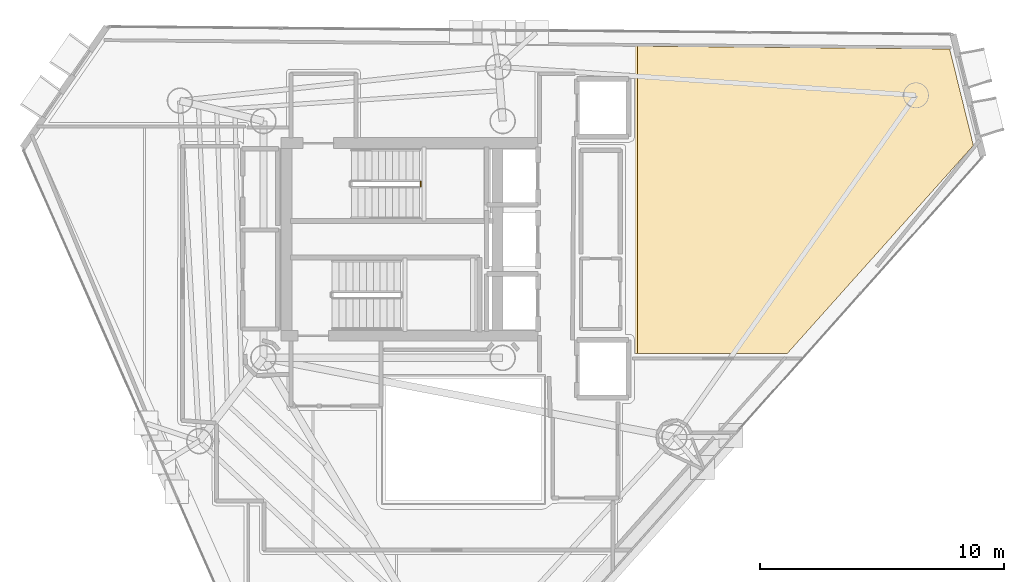
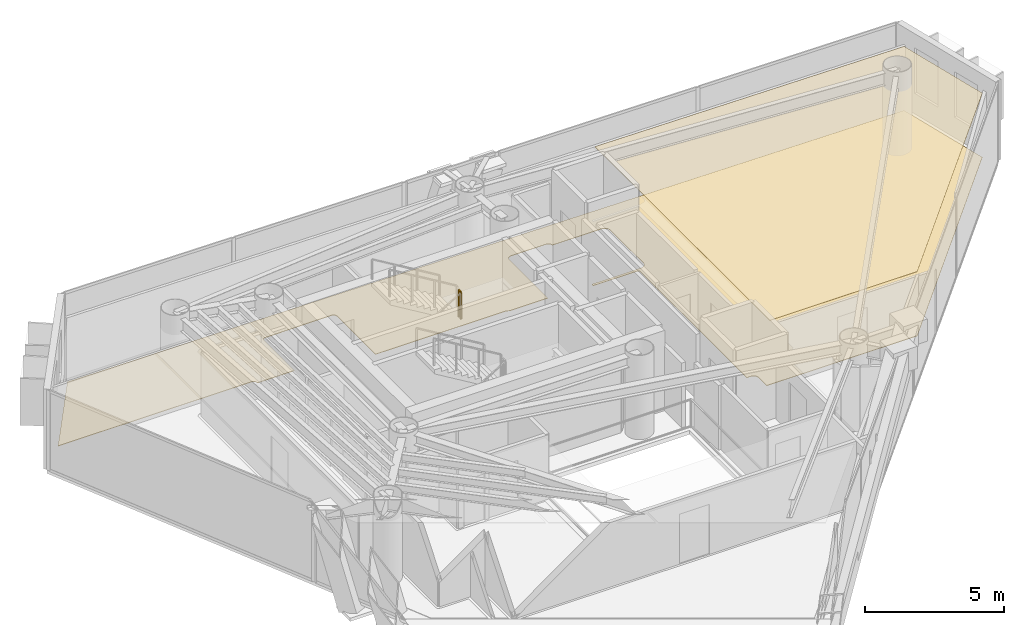
# One storey, part 21 of 21: 2 coverings, 1 railing.
"""IFC4 building model written with IfcOpenShell, lengths in metres."""

from ifc_helpers import new_model, si_unit, direction, frame, origin, origin_2d, place, context, subcontext, project, spatial, polyline, rectangle, outline, extrude, material, layer, layer_set, type_object, element, save


model = new_model("IFC4")

# Units and contexts
model_context = context("Model", 3, precision=1e-05, world=origin(), true_north=direction((0.0, 1.0)))
body_context = subcontext(model_context, "Body", "Model", "MODEL_VIEW")
ifc_project = project(units=[si_unit("LENGTHUNIT", "METRE"), si_unit("AREAUNIT", "SQUARE_METRE"), si_unit("VOLUMEUNIT", "CUBIC_METRE"), si_unit("PLANEANGLEUNIT", "RADIAN"), si_unit("MASSUNIT", "GRAM", prefix="KILO")], contexts=[model_context])

# Site, building, storey
site_placement = place(None, origin())
site = spatial("IfcSite", under=ifc_project, at=site_placement, CompositionType="ELEMENT")
building_placement = place(site_placement, origin())
building = spatial("IfcBuilding", under=site, at=building_placement, Name="Qianvela Tower", CompositionType="ELEMENT")
storey_placement = place(building_placement, frame((0.0, 0.0, 250.10009765625)))
storey = spatial("IfcBuildingStorey", under=building, at=storey_placement, Name="L64", CompositionType="ELEMENT", Elevation=250.10009765625)

# Coverings
ifc_material_1 = material(Name="Perforated Mineral Acoustic Ceiling Tile")
ifc_layer_1 = layer(ifc_material_1, 0.02490234375)
ifc_layer_set_1 = layer_set([ifc_layer_1], Name="Perforated Mineral Acoustic Ceiling Tile")
covering_type_1 = type_object("IfcCoveringType", Name="COV-CEIL-ACOUSTIC-25", PredefinedType="CEILING", material=ifc_layer_set_1)
covering_1_placement = place(storey_placement, frame((0.0, 0.0, 2.81494140625)))
element("IfcCovering", 1, at=covering_1_placement, inside=storey, type_object=covering_type_1, Name="L64 Acoustic Ceiling Bay 2 Maker Craft Workshop L64-04", PredefinedType="CEILING", context=body_context, shape_type="SweptSolid", body=[
    extrude(outline(polyline([(56.71142578125, 36.50537109375), (57.68359375, 32.55224609375), (50.054931640625, 24.02197265625), (43.92431640625, 24.02197265625), (43.92431640625, 36.619873046875), (56.71142578125, 36.50537109375)])), origin(), (0.0, 0.0, 1.0), 0.02490234375),
])
ifc_material_2 = material(Name="Engineered Acoustic Oak Timber Flooring", Category="wood")
ifc_layer_2 = layer(ifc_material_2, 0.02001953125)
ifc_layer_set_2 = layer_set([ifc_layer_2], Name="Engineered Acoustic Oak Timber Flooring")
covering_type_2 = type_object("IfcCoveringType", Name="COV-FLOOR-OAK-20", PredefinedType="FLOORING", material=ifc_layer_set_2)
covering_2_placement = place(storey_placement, origin())
element("IfcCovering", 2, at=covering_2_placement, inside=storey, type_object=covering_type_2, Name="L64 Finish Flooring Maker Craft Workshop L64-04", PredefinedType="FLOORING", context=body_context, shape_type="SweptSolid", body=[
    extrude(outline(polyline([(41.52001953125, 32.580078125), (41.52001953125, 32.679931640625), (43.580078125, 32.679931640625), (43.587158203125, 32.680419921875), (43.593994140625, 32.68115234375), (43.60107421875, 32.682861328125), (43.607666015625, 32.684814453125), (43.6142578125, 32.687744140625), (43.722412109375, 32.739013671875), (43.729248046875, 32.74267578125), (43.73583984375, 32.746826171875), (43.741943359375, 32.751953125), (43.74755859375, 32.757568359375), (43.75244140625, 32.763427734375), (43.7568359375, 32.77001953125), (43.760498046875, 32.777099609375), (43.763427734375, 32.7841796875), (43.79541015625, 32.873046875), (43.7978515625, 32.8818359375), (43.799560546875, 32.890869140625), (43.800048828125, 32.89990234375), (43.800048828125, 35.300048828125), (43.799560546875, 35.307861328125), (43.798583984375, 35.315673828125), (43.796630859375, 35.3232421875), (43.77294921875, 35.40087890625), (43.770263671875, 35.408447265625), (43.76708984375, 35.41552734375), (43.762939453125, 35.422119140625), (43.75830078125, 35.428466796875), (43.7529296875, 35.434326171875), (43.747314453125, 35.439697265625), (43.740966796875, 35.4443359375), (43.734130859375, 35.4482421875), (43.61767578125, 35.510498046875), (43.610595703125, 35.513916015625), (43.603271484375, 35.5166015625), (43.595703125, 35.5185546875), (43.587890625, 35.51953125), (43.580078125, 35.52001953125), (41.513916015625, 35.52001953125), (41.51025390625, 35.564208984375), (41.50927734375, 35.57177734375), (41.5078125, 35.5791015625), (41.50537109375, 35.586181640625), (41.502197265625, 35.59326171875), (41.49853515625, 35.599853515625), (41.494140625, 35.606201171875), (41.4892578125, 35.612060546875), (41.48388671875, 35.6171875), (41.47802734375, 35.6220703125), (41.4716796875, 35.626220703125), (41.401123046875, 35.668701171875), (41.3935546875, 35.672607421875), (41.385498046875, 35.67578125), (41.377197265625, 35.677978515625), (41.36865234375, 35.679443359375), (41.360107421875, 35.679931640625), (39.8798828125, 35.679931640625), (39.871337890625, 35.679443359375), (39.86279296875, 35.677978515625), (39.8544921875, 35.67578125), (39.846435546875, 35.672607421875), (39.8388671875, 35.668701171875), (39.768310546875, 35.626220703125), (39.761474609375, 35.62158203125), (39.755126953125, 35.616455078125), (39.74951171875, 35.610595703125), (39.744384765625, 35.604248046875), (39.739990234375, 35.597412109375), (39.736083984375, 35.58984375), (39.7333984375, 35.582275390625), (39.731201171875, 35.57421875), (39.72998046875, 35.566162109375), (39.7294921875, 35.55810546875), (39.72021484375, 32.719970703125), (38.125, 32.719970703125), (38.03369140625, 32.762451171875), (38.025634765625, 32.765625), (38.017333984375, 32.76806640625), (38.0087890625, 32.76953125), (38.0, 32.77001953125), (32.580078125, 32.77001953125), (32.580078125, 35.52001953125), (32.57958984375, 35.52783203125), (32.57861328125, 35.53564453125), (32.57666015625, 35.543212890625), (32.573974609375, 35.550537109375), (32.550537109375, 35.607177734375), (32.547119140625, 35.6142578125), (32.543212890625, 35.62109375), (32.538330078125, 35.627197265625), (32.533203125, 35.633056640625), (32.52734375, 35.638427734375), (32.52099609375, 35.64306640625), (32.514404296875, 35.647216796875), (32.507080078125, 35.650390625), (32.45068359375, 35.673828125), (32.443115234375, 35.676513671875), (32.435302734375, 35.678466796875), (32.427490234375, 35.6796875), (32.41943359375, 35.679931640625), (29.648681640625, 35.661865234375), (29.640625, 35.661376953125), (29.632568359375, 35.66015625), (29.62451171875, 35.657958984375), (29.616943359375, 35.655029296875), (29.609619140625, 35.6513671875), (29.602783203125, 35.64697265625), (29.596435546875, 35.641845703125), (29.590576171875, 35.63623046875), (29.58544921875, 35.6298828125), (29.580810546875, 35.623291015625), (29.576904296875, 35.615966796875), (29.547607421875, 35.55419921875), (29.54443359375, 35.5458984375), (29.5419921875, 35.53759765625), (29.54052734375, 35.52880859375), (29.5400390625, 35.52001953125), (29.5400390625, 33.342041015625), (27.996826171875, 33.342041015625), (27.9951171875, 33.385009765625), (27.99462890625, 33.392333984375), (27.9931640625, 33.39990234375), (27.9912109375, 33.406982421875), (27.98828125, 33.4140625), (27.985107421875, 33.4208984375), (27.981201171875, 33.42724609375), (27.9765625, 33.43310546875), (27.971435546875, 33.438720703125), (27.9658203125, 33.44384765625), (27.959716796875, 33.4482421875), (27.90234375, 33.486572265625), (27.895751953125, 33.490478515625), (27.888671875, 33.493896484375), (27.881103515625, 33.49658203125), (27.87353515625, 33.49853515625), (27.86572265625, 33.49951171875), (27.85791015625, 33.5), (19.804443359375, 33.5), (22.106201171875, 36.815185546875), (56.71142578125, 36.50537109375), (57.68359375, 32.55224609375), (50.054931640625, 24.02197265625), (43.7998046875, 24.02197265625), (43.79931640625, 24.61376953125), (43.798828125, 24.62158203125), (43.7978515625, 24.62939453125), (43.7958984375, 24.636962890625), (43.793212890625, 24.644287109375), (43.76220703125, 24.719482421875), (43.7587890625, 24.7265625), (43.754638671875, 24.7333984375), (43.75, 24.739501953125), (43.744873046875, 24.745361328125), (43.739013671875, 24.750732421875), (43.732666015625, 24.75537109375), (43.6650390625, 24.800537109375), (43.658447265625, 24.804443359375), (43.6513671875, 24.807861328125), (43.64404296875, 24.810546875), (43.636474609375, 24.8125), (43.628662109375, 24.813720703125), (43.620849609375, 24.81396484375), (43.421630859375, 24.814453125), (43.423828125, 24.8193359375), (43.426513671875, 24.826904296875), (43.428466796875, 24.83447265625), (43.4296875, 24.84228515625), (43.429931640625, 24.85009765625), (43.429931640625, 32.5), (43.4296875, 32.5078125), (43.428466796875, 32.515625), (43.426513671875, 32.523193359375), (43.423828125, 32.530517578125), (43.420654296875, 32.53759765625), (43.41650390625, 32.54443359375), (43.411865234375, 32.55078125), (43.406494140625, 32.556640625), (43.40087890625, 32.561767578125), (43.394287109375, 32.56640625), (43.3876953125, 32.570556640625), (43.380615234375, 32.573974609375), (43.373291015625, 32.57666015625), (43.365478515625, 32.57861328125), (43.35791015625, 32.57958984375), (43.35009765625, 32.580078125), (41.52001953125, 32.580078125)])), origin(), (0.0, 0.0, 1.0), 0.02001953125),
])

# Railing
ifc_material_3 = material(Name="Painted Tubular Steel Q355B", Category="steel")
railing_type = type_object("IfcRailingType", Name="RL-STAIR-GUARD-1200", PredefinedType="GUARDRAIL", material=ifc_material_3)
railing_placement = place(storey_placement, frame((35.050048828125, 30.889892578125, 1.849853515625)))
element("IfcRailing", 3, at=railing_placement, inside=storey, type_object=railing_type, Name="L64 ST-1 stair guard 2", PredefinedType="GUARDRAIL", context=body_context, shape_type="SweptSolid", body=[
    extrude(rectangle(XDim=0.050048828125, YDim=0.0400390625, at=origin_2d()), frame((0.0, 0.0, 1.179931640625), z_axis=(0.0, 1.0, 0.0), x_axis=(-1.0, 0.0, 0.0)), (0.0, 0.0, 1.0), 0.16015625),
    extrude(rectangle(XDim=0.050048828125, YDim=0.050048828125, at=origin_2d()), origin(), (0.0, 0.0, 1.0), 1.159912109375),
    extrude(rectangle(XDim=0.050048828125, YDim=0.050048828125, at=origin_2d()), frame((0.0, 0.16015625, 0.0)), (0.0, 0.0, 1.0), 1.159912109375),
])

save(model, "model.ifc")
